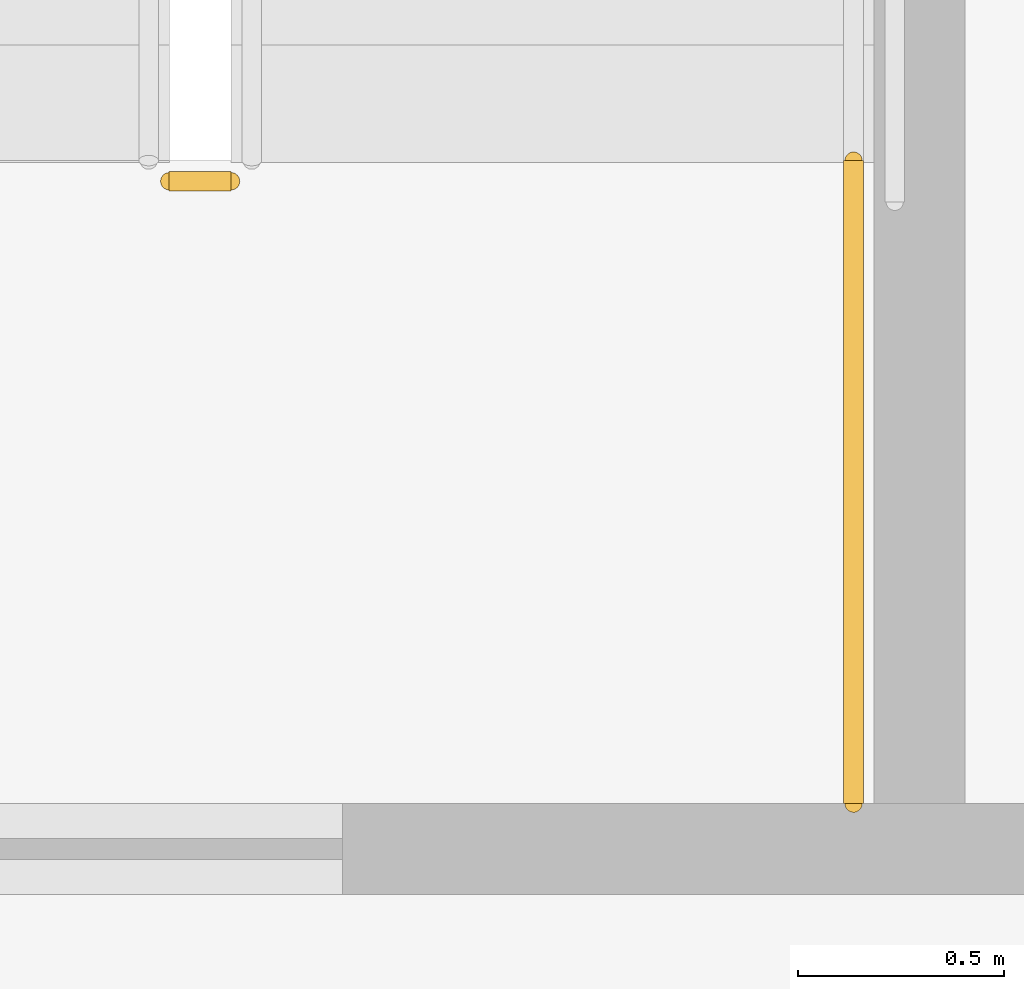
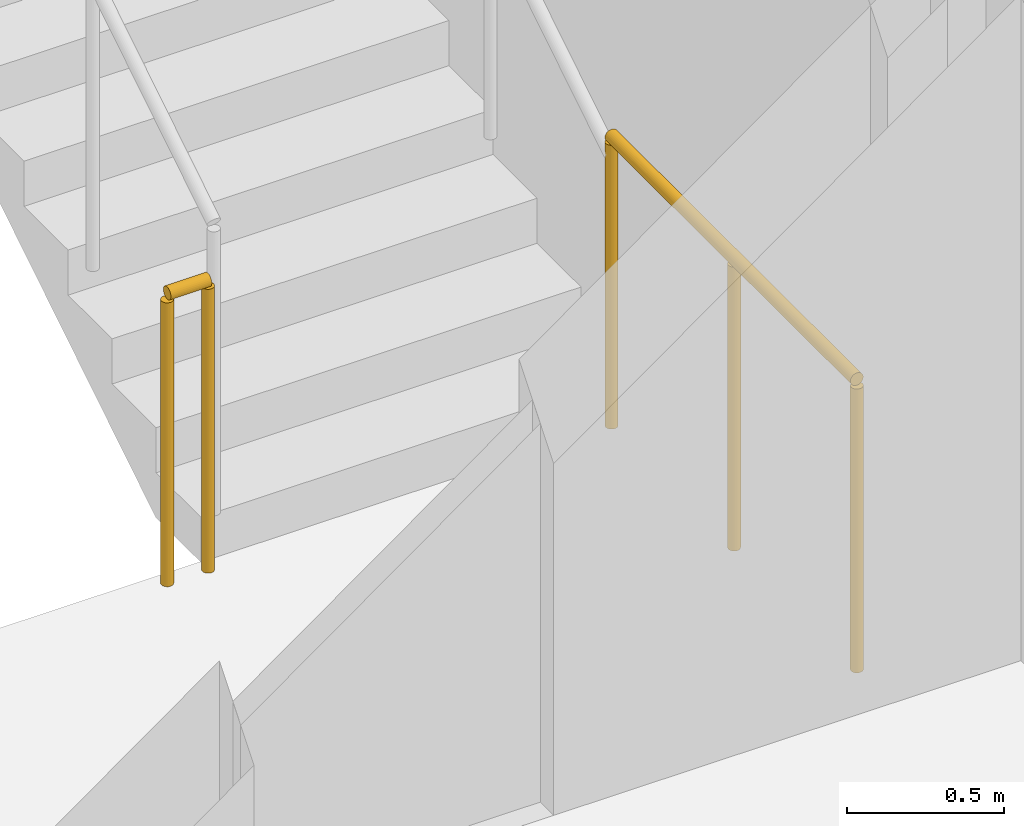
# One storey, part 12 of 15: 2 railings.
"""IFC4 building model written with IfcOpenShell, lengths in metres."""

from ifc_helpers import new_model, si_unit, direction, frame, origin, origin_2d, place, context, subcontext, project, spatial, circle, extrude, material, type_object, element, save


model = new_model("IFC4")

# Units and contexts
model_context = context("Model", 3, precision=1e-05, world=origin(), true_north=direction((0.0, 1.0)))
body_context = subcontext(model_context, "Body", "Model", "MODEL_VIEW")
ifc_project = project(units=[si_unit("LENGTHUNIT", "METRE"), si_unit("AREAUNIT", "SQUARE_METRE"), si_unit("VOLUMEUNIT", "CUBIC_METRE"), si_unit("PLANEANGLEUNIT", "RADIAN"), si_unit("MASSUNIT", "GRAM", prefix="KILO")], contexts=[model_context])

# Site, building, storey
site_placement = place(None, origin())
site = spatial("IfcSite", under=ifc_project, at=site_placement, CompositionType="ELEMENT")
building_placement = place(site_placement, origin())
building = spatial("IfcBuilding", under=site, at=building_placement, Name="Khairoan Windgate Tower", CompositionType="ELEMENT")
storey_placement = place(building_placement, frame((0.0, 0.0, 59.60009765625)))
storey = spatial("IfcBuildingStorey", under=building, at=storey_placement, Name="L14", CompositionType="ELEMENT", Elevation=59.60009765625)

# Railings
ifc_material = material(Name="Steel S355", Category="steel")
railing_type = type_object("IfcRailingType", Name="Stairwell Safety Guardrail SGR-1150", PredefinedType="GUARDRAIL", material=ifc_material)
railing_1_placement = place(storey_placement, frame((-17.7099609375, 2.909912109375, 0.0)))
element("IfcRailing", 1, at=railing_1_placement, inside=storey, type_object=railing_type, Name="L14 ST2 stair guard 7", PredefinedType="GUARDRAIL", context=body_context, shape_type="SweptSolid", body=[
    extrude(circle(Radius=0.02392578125, at=origin_2d()), frame((0.0, 0.0, 1.1259765625), z_axis=(-1.0, 0.0, 0.0), x_axis=(0.0, -1.0, 0.0)), (0.0, 0.0, 1.0), 0.150146484375),
    extrude(circle(Radius=0.02099609375, at=origin_2d()), origin(), (0.0, 0.0, 1.0), 1.101806640625),
    extrude(circle(Radius=0.02099609375, at=origin_2d()), frame((-0.150146484375, 0.0, 0.0)), (0.0, 0.0, 1.0), 1.101806640625),
])
railing_2_placement = place(storey_placement, frame((-16.199951171875, 1.39990234375, 0.0)))
element("IfcRailing", 2, at=railing_2_placement, inside=storey, type_object=railing_type, Name="L14 ST2 stair guard 8", PredefinedType="GUARDRAIL", context=body_context, shape_type="SweptSolid", body=[
    extrude(circle(Radius=0.02392578125, at=origin_2d()), frame((0.0, 0.0, 1.1259765625), z_axis=(0.0, 1.0, 0.0), x_axis=(-1.0, 0.0, 0.0)), (0.0, 0.0, 1.0), 1.56005859375),
    extrude(circle(Radius=0.02099609375, at=origin_2d()), origin(), (0.0, 0.0, 1.0), 1.101806640625),
    extrude(circle(Radius=0.02099609375, at=origin_2d()), frame((0.0, 0.780029296875, 0.0)), (0.0, 0.0, 1.0), 1.101806640625),
    extrude(circle(Radius=0.02099609375, at=origin_2d()), frame((0.0, 1.56005859375, 0.0)), (0.0, 0.0, 1.0), 1.101806640625),
])

save(model, "model.ifc")
